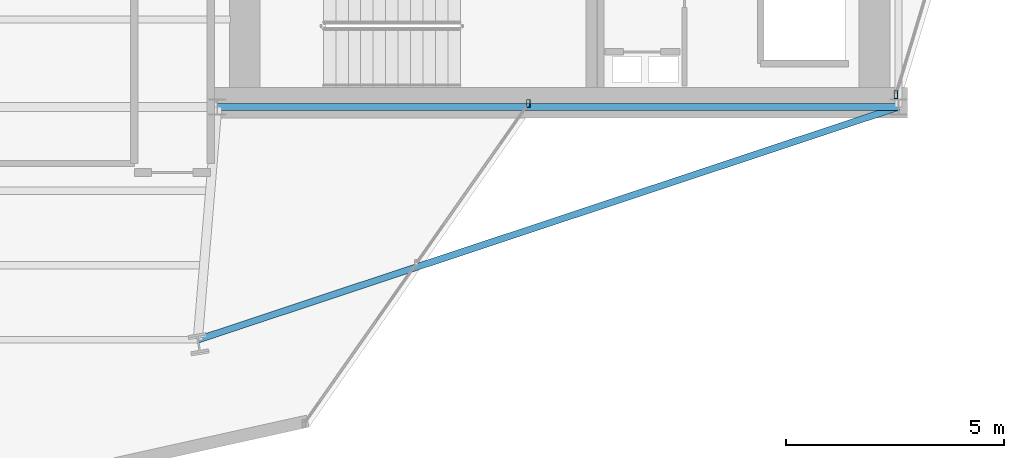
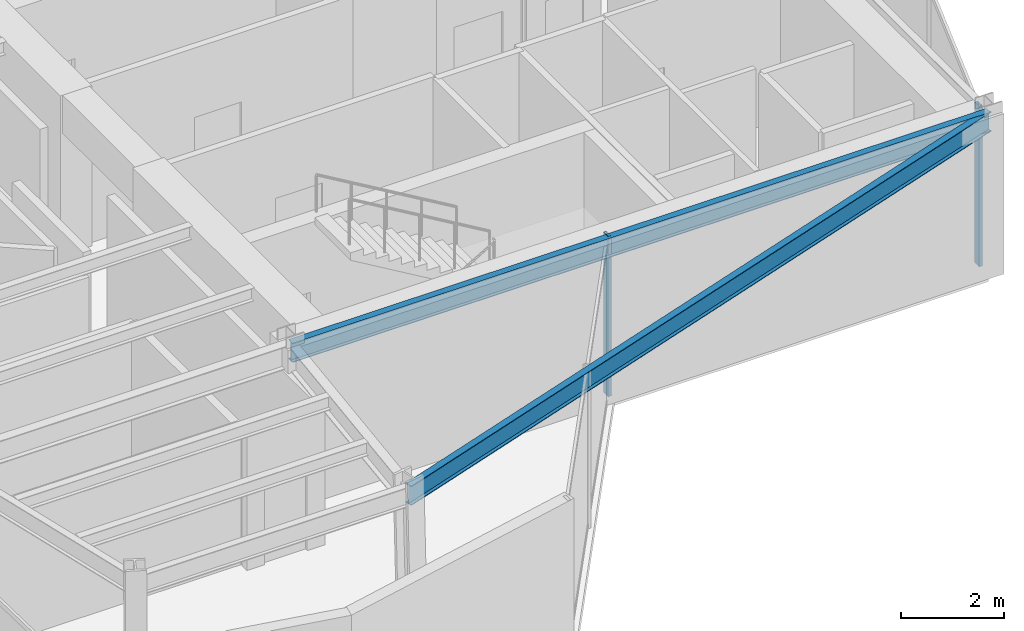
# One storey, part 14 of 23: 2 beams, 2 members, 2 elements without a shape of their own.
"""IFC4 building model written with IfcOpenShell, lengths in metres."""

from ifc_helpers import new_model, si_unit, direction, frame, origin, origin_2d, place, context, subcontext, project, spatial, hollow_rectangle, i_section, extrude, material, layer, layer_set, material_profile, profile_set, type_object, element, aggregate, save


model = new_model("IFC4")

# Units and contexts
model_context = context("Model", 3, precision=1e-05, world=origin(), true_north=direction((0.0, 1.0)))
body_context = subcontext(model_context, "Body", "Model", "MODEL_VIEW")
ifc_project = project(units=[si_unit("LENGTHUNIT", "METRE"), si_unit("AREAUNIT", "SQUARE_METRE"), si_unit("VOLUMEUNIT", "CUBIC_METRE"), si_unit("PLANEANGLEUNIT", "RADIAN"), si_unit("MASSUNIT", "GRAM", prefix="KILO")], contexts=[model_context])

# Site, building, storey
site_placement = place(None, origin())
site = spatial("IfcSite", under=ifc_project, at=site_placement, CompositionType="ELEMENT")
building_placement = place(site_placement, origin())
building = spatial("IfcBuilding", under=site, at=building_placement, Name="Veymaron Broadcast Tower", CompositionType="ELEMENT")
storey_placement = place(building_placement, frame((0.0, 0.0, 224.25)))
storey = spatial("IfcBuildingStorey", under=building, at=storey_placement, Name="L52", CompositionType="ELEMENT", Elevation=224.25)

# Beams
ifc_material_1 = material(Name="Structural steel ASTM A992 Gr 50", Category="steel")
ifc_material_profile_1 = material_profile(ifc_material_1, i_section(OverallWidth=0.154052734375, OverallDepth=0.458984375, WebThickness=0.009033203125, FlangeThickness=0.015380859375, at=origin_2d()), Name="W460X68")
ifc_profile_set_1 = profile_set([ifc_material_profile_1], Name="Structural steel ASTM A992 Gr 50")
beam_type = type_object("IfcBeamType", Name="BM-SP2", PredefinedType="SPANDREL", material=ifc_profile_set_1)
beam_1_placement = place(storey_placement, frame((39.0, 16.0, 3.560546875), z_axis=(1.0, 0.0, 0.0), x_axis=(0.0, 1.0, 0.0)))
element("IfcBeam", 1, at=beam_1_placement, inside=storey, type_object=beam_type, Name="L52 primary structural floor girder", PredefinedType="SPANDREL", context=body_context, shape_type="SweptSolid", body=[
    extrude(i_section(OverallWidth=0.154052734375, OverallDepth=0.458984375, WebThickness=0.009033203125, FlangeThickness=0.015380859375, at=origin_2d()), origin(), (0.0, 0.0, 1.0), 15.60009765625),
])
beam_2_placement = place(storey_placement, frame((54.60009765625, 16.0, 3.560546875), z_axis=(-0.949007696126, -0.315252902753, 0.0), x_axis=(0.315252902753, -0.949007696126, 0.0)))
element("IfcBeam", 2, at=beam_2_placement, inside=storey, type_object=beam_type, Name="L52 primary structural floor girder", PredefinedType="SPANDREL", context=body_context, shape_type="SweptSolid", body=[
    extrude(i_section(OverallWidth=0.154052734375, OverallDepth=0.458984375, WebThickness=0.009033203125, FlangeThickness=0.015380859375, at=origin_2d()), origin(), (0.0, 0.0, 1.0), 16.9072265625),
])

# Curtain wall, member
ifc_material_2 = material(Name="Anodised aluminium AA 6063-T6 and laminated low-E dark glass", Category="aluminium")
ifc_layer = layer(ifc_material_2, 0.179931640625)
ifc_layer_set = layer_set([ifc_layer], Name="Anodised aluminium AA 6063-T6 and laminated low-E dark glass")
curtain_wall_type = type_object("IfcCurtainWallType", Name="CW-SYS-05", PredefinedType="NOTDEFINED", material=ifc_layer_set)
curtain_wall_1_placement = place(storey_placement, origin())
curtain_wall_1 = element("IfcCurtainWall", 3, at=curtain_wall_1_placement, inside=storey, type_object=curtain_wall_type, Name="L52 dark-glass curtain wall CW-L52-E2-1", PredefinedType="NOTDEFINED")
ifc_material_3 = material(Name="Anodised aluminium AA 6063-T6", Category="aluminium")
ifc_material_profile_2 = material_profile(ifc_material_3, hollow_rectangle(XDim=0.074951171875, YDim=0.179931640625, WallThickness=0.0048828125, at=origin_2d()), Name="AL180X75X5")
ifc_profile_set_2 = profile_set([ifc_material_profile_2], Name="Anodised aluminium AA 6063-T6")
member_type = type_object("IfcMemberType", Name="CW-MUL-02", PredefinedType="MULLION", material=ifc_profile_set_2)
member_1_placement = place(storey_placement, frame((54.53955078125, 16.283935546875, 0.0), z_axis=(0.0, 0.0, 1.0), x_axis=(1.0, 0.0, 0.0)))
member_1 = element("IfcMember", 4, at=member_1_placement, type_object=member_type, Name="CW-L52-E2-1 mullion 0", PredefinedType="MULLION", context=body_context, shape_type="SweptSolid", body=[
    extrude(hollow_rectangle(XDim=0.074951171875, YDim=0.179931640625, WallThickness=0.0048828125, at=origin_2d()), origin(), (0.0, 0.0, 1.0), 3.7900390625),
])
aggregate(curtain_wall_1, [member_1])

curtain_wall_2_placement = place(storey_placement, origin())
curtain_wall_2 = element("IfcCurtainWall", 5, at=curtain_wall_2_placement, inside=storey, type_object=curtain_wall_type, Name="L52 dark-glass curtain wall CW-L52-E20-1", PredefinedType="NOTDEFINED")
member_2_placement = place(storey_placement, frame((46.124755859375, 16.080322265625, 0.0), z_axis=(0.0, 0.0, 1.0), x_axis=(1.0, 0.0, 0.0)))
member_2 = element("IfcMember", 6, at=member_2_placement, type_object=member_type, Name="CW-L52-E20-1 mullion 2", PredefinedType="MULLION", context=body_context, shape_type="SweptSolid", body=[
    extrude(hollow_rectangle(XDim=0.074951171875, YDim=0.179931640625, WallThickness=0.0048828125, at=origin_2d()), origin(), (0.0, 0.0, 1.0), 3.7900390625),
])
aggregate(curtain_wall_2, [member_2])

save(model, "model.ifc")
